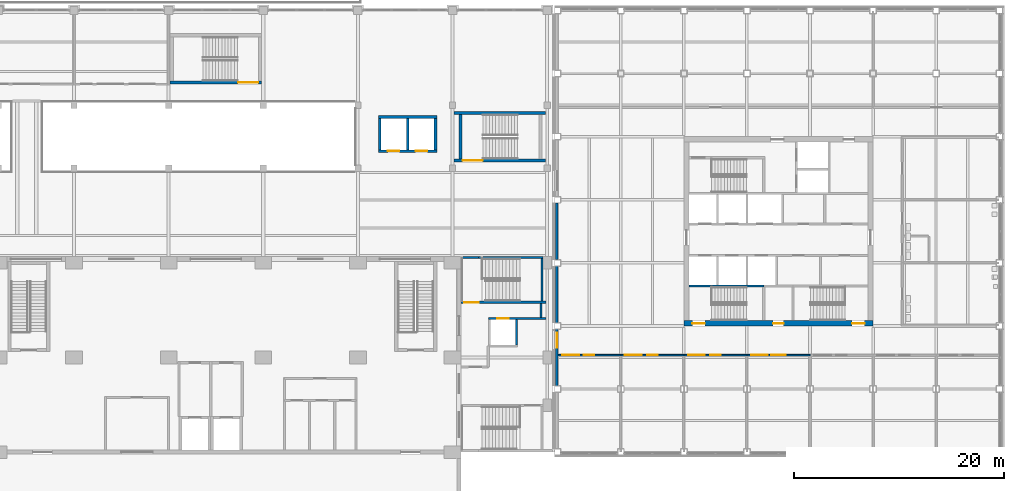
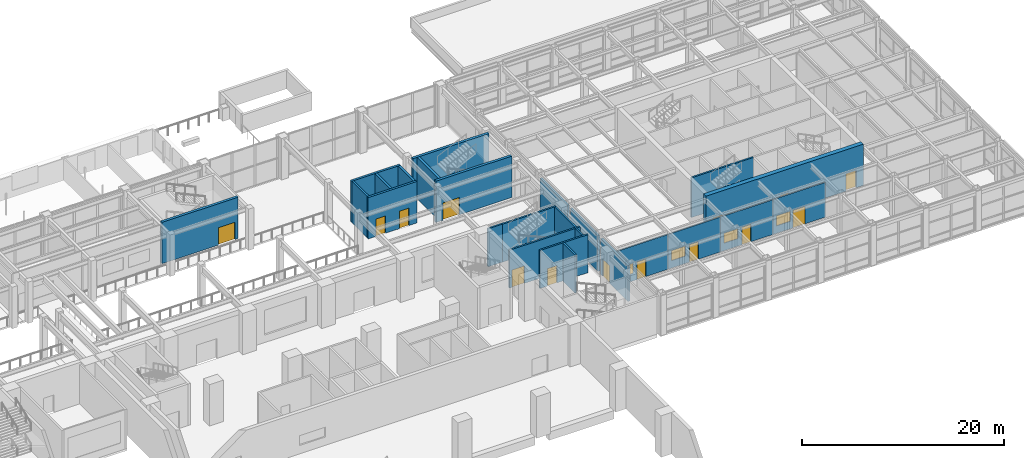
# One storey, part 42 of 67: 25 walls, 14 doors, 4 windows, 18 openings.
"""IFC4 building model written with IfcOpenShell, lengths in metres."""

import ifcopenshell
import ifcopenshell.guid

model = None  # the IFC model being written
_history = None  # IfcOwnerHistory: only IFC2X3 demands one
_inside = {}  # id of a spatial element -> (the spatial element, [elements in it])
_under = {}  # id of a project, library or spatial element -> (it, [spatial elements below it])
_declared = {}  # id of a project -> (the project, [libraries it declares])
_typed = {}  # id of a type object -> (the type object, [elements of that type])
_made_of = {}  # id of a material, layer set ... -> (it, [elements and type objects made of it])


def new_model(schema):
    """Start an empty IFC model of exactly this schema.

    Asked for "IFC4X3", IfcOpenShell would pick the latest addendum, in which some entities
    have other attributes; the version numbers below select the first issue.
    IFC2X3 requires an IfcOwnerHistory on every rooted entity: one is made here for all.
    """
    global model, _history
    if schema == "IFC4X3":
        model = ifcopenshell.file(schema_version=(4, 3, 0, 0))
    else:
        model = ifcopenshell.file(schema=schema)
    _inside.clear()
    _under.clear()
    _declared.clear()
    _typed.clear()
    _made_of.clear()
    _history = None
    if model.schema == "IFC2X3":
        org = make("IfcOrganization", Name="unknown")
        user = make(
            "IfcPersonAndOrganization",
            ThePerson=make("IfcPerson", FamilyName="unknown"),
            TheOrganization=org,
        )
        app = make(
            "IfcApplication",
            ApplicationDeveloper=org,
            Version="unknown",
            ApplicationFullName="unknown",
            ApplicationIdentifier="unknown",
        )
        _history = make(
            "IfcOwnerHistory",
            OwningUser=user,
            OwningApplication=app,
            ChangeAction="ADDED",
            CreationDate=0,
        )
    return model


def make(cls, **values):
    """One entity of the class cls with the attributes given. An attribute that is None is left unset."""
    return model.create_entity(
        cls, **{name: value for name, value in values.items() if value is not None}
    )


def rooted(cls, **values):
    """An entity with a GlobalId (a new one), such as an element, a storey or a relation."""
    return make(cls, GlobalId=ifcopenshell.guid.new(), OwnerHistory=_history, **values)


def si_unit(unit_type, name, prefix=None):
    """IfcSIUnit, for example si_unit("LENGTHUNIT", "METRE", prefix="MILLI")."""
    return make("IfcSIUnit", UnitType=unit_type, Prefix=prefix, Name=name)


def assignment(units):
    """IfcUnitAssignment: the units of a project."""
    return None if units is None else make("IfcUnitAssignment", Units=units)


def point(xyz):
    """IfcCartesianPoint."""
    return None if xyz is None else make("IfcCartesianPoint", Coordinates=xyz)


def direction(xyz):
    """IfcDirection."""
    return None if xyz is None else make("IfcDirection", DirectionRatios=xyz)


def frame(location, z_axis=None, x_axis=None):
    """IfcAxis2Placement3D, a coordinate frame: its origin and axes. An axis left out is left unset."""
    return make(
        "IfcAxis2Placement3D",
        Location=point(location),
        Axis=direction(z_axis),
        RefDirection=direction(x_axis),
    )


def frame_2d(location, x_axis=None):
    """IfcAxis2Placement2D, a coordinate frame in the plane: its origin and x axis."""
    return make(
        "IfcAxis2Placement2D", Location=point(location), RefDirection=direction(x_axis)
    )


def origin():
    """The frame at (0, 0, 0) with its axes left unset."""
    return frame((0.0, 0.0, 0.0))


def place(relative_to, where):
    """IfcLocalPlacement: puts the frame where relative to a parent placement (None: the world)."""
    return make(
        "IfcLocalPlacement", PlacementRelTo=relative_to, RelativePlacement=where
    )


def context(
    kind, dimensions, precision=None, world=None, true_north=None, identifier=None
):
    """IfcGeometricRepresentationContext, for example the 3D "Model" context."""
    return make(
        "IfcGeometricRepresentationContext",
        ContextIdentifier=identifier,
        ContextType=kind,
        CoordinateSpaceDimension=dimensions,
        Precision=precision,
        WorldCoordinateSystem=world,
        TrueNorth=true_north,
    )


def subcontext(parent, identifier, kind, view, scale=None):
    """IfcGeometricRepresentationSubContext, for example "Body" below "Model"."""
    return make(
        "IfcGeometricRepresentationSubContext",
        ContextIdentifier=identifier,
        ContextType=kind,
        ParentContext=parent,
        TargetScale=scale,
        TargetView=view,
    )


def project(units=None, contexts=None):
    """IfcProject with its units and contexts."""
    return rooted(
        "IfcProject",
        Name="project",
        RepresentationContexts=contexts,
        UnitsInContext=assignment(units),
    )


def spatial(cls, under=None, at=None, **own):
    """A site, building, storey or space (cls), placed at a placement, below another one or the project."""
    s = rooted(cls, ObjectPlacement=at, **own)
    if under is not None:
        _under.setdefault(under.id(), (under, []))[1].append(s)
    return s


def profile(cls, at=None, kind="AREA", **sizes):
    """A parametric profile (cls). Its sizes go by their IFC names, for example OverallWidth=200.0."""
    return make(cls, ProfileType=kind, Position=at, **sizes)


def rectangle(**sizes):
    """IfcRectangleProfileDef."""
    return profile("IfcRectangleProfileDef", **sizes)


def extrude(swept, where, along, depth):
    """IfcExtrudedAreaSolid: the profile swept, set in the frame where, extruded along a direction by depth."""
    return make(
        "IfcExtrudedAreaSolid",
        SweptArea=swept,
        Position=where,
        ExtrudedDirection=direction(along),
        Depth=depth,
    )


def shape(context_of_items, identifier, shape_type, items):
    """IfcShapeRepresentation: the items that make up one representation, for example the "Body"."""
    return make(
        "IfcShapeRepresentation",
        ContextOfItems=context_of_items,
        RepresentationIdentifier=identifier,
        RepresentationType=shape_type,
        Items=items,
    )


def material(Name=None, Category=None):
    """IfcMaterial."""
    return make("IfcMaterial", Name=Name, Category=Category)


def layer(
    of_material, thickness, ventilated=None, Name=None, Category=None, Priority=None
):
    """IfcMaterialLayer: one layer of a wall or slab, of a material (None: an air gap)."""
    return make(
        "IfcMaterialLayer",
        Material=of_material,
        LayerThickness=thickness,
        IsVentilated=ventilated,
        Name=Name,
        Category=Category,
        Priority=Priority,
    )


def layer_set(layers, Name=None):
    """IfcMaterialLayerSet."""
    return make("IfcMaterialLayerSet", MaterialLayers=layers, LayerSetName=Name)


def made_of(thing, what):
    """Note that an element or type object is made of a material, layer set ...; save() writes the relation."""
    if what is not None:
        _made_of.setdefault(what.id(), (what, []))[1].append(thing)
    return thing


def type_object(cls, material=None, **own):
    """A type object (cls), such as IfcWallType, which elements share."""
    return made_of(rooted(cls, **own), material)


def element(
    cls,
    number,
    at=None,
    inside=None,
    cuts=None,
    type_object=None,
    material=None,
    context=None,
    identifier="Body",
    shape_type=None,
    held_by="IfcProductDefinitionShape",
    body=None,
    shapes=None,
    **own,
):
    """One element of the class cls, such as IfcWall. Its Tag is "e" and its number.

    at: its placement. inside: the storey or other place that contains it. cuts: it is an
    opening in that element (IfcRelVoidsElement). A single representation is given by context,
    identifier, shape_type and body (its items); several are given by shapes. held_by: the class
    of the entity that holds the representations. save() writes the other relations.
    """
    e = rooted(cls, Tag="e%d" % number, ObjectPlacement=at, **own)
    if body is not None:
        shapes = [shape(context, identifier, shape_type, body)]
    if shapes is not None:
        e.Representation = make(held_by, Representations=shapes)
    if inside is not None:
        _inside.setdefault(inside.id(), (inside, []))[1].append(e)
    if cuts is not None:
        rooted(
            "IfcRelVoidsElement", RelatingBuildingElement=cuts, RelatedOpeningElement=e
        )
    if type_object is not None:
        _typed.setdefault(type_object.id(), (type_object, []))[1].append(e)
    return made_of(e, material)


def fill(opening, filler):
    """IfcRelFillsElement: the door or window that sits in an opening."""
    return rooted(
        "IfcRelFillsElement",
        RelatingOpeningElement=opening,
        RelatedBuildingElement=filler,
    )


def aggregate(whole, parts):
    """IfcRelAggregates: a whole, such as a stair, and the parts it consists of."""
    return rooted("IfcRelAggregates", RelatingObject=whole, RelatedObjects=parts)


def save(model, path):
    """Write the relations noted so far, then the file.

    IfcRelAggregates (storeys below a building ...), IfcRelContainedInSpatialStructure (elements
    in a storey), IfcRelDefinesByType, IfcRelAssociatesMaterial and IfcRelDeclares: one each for
    every whole, place, type object, material and project.
    """
    for whole, parts in _under.values():
        aggregate(whole, parts)
    for where, things in _inside.values():
        rooted(
            "IfcRelContainedInSpatialStructure",
            RelatedElements=things,
            RelatingStructure=where,
        )
    for kind, things in _typed.values():
        rooted("IfcRelDefinesByType", RelatedObjects=things, RelatingType=kind)
    for what, things in _made_of.values():
        rooted("IfcRelAssociatesMaterial", RelatedObjects=things, RelatingMaterial=what)
    for by, libraries in _declared.values():
        rooted("IfcRelDeclares", RelatingContext=by, RelatedDefinitions=libraries)
    model.write(path)


model = new_model("IFC4")

# Units and contexts
model_context = context("Model", 3, precision=1e-05, world=origin(), true_north=direction((0.0, 1.0)))
body_context = subcontext(model_context, "Body", "Model", "MODEL_VIEW")
ifc_project = project(units=[si_unit("LENGTHUNIT", "METRE"), si_unit("AREAUNIT", "SQUARE_METRE"), si_unit("VOLUMEUNIT", "CUBIC_METRE"), si_unit("PLANEANGLEUNIT", "RADIAN"), si_unit("MASSUNIT", "GRAM", prefix="KILO")], contexts=[model_context])

# Site, building, storey
site_placement = place(None, origin())
site = spatial("IfcSite", under=ifc_project, at=site_placement, CompositionType="ELEMENT")
building_placement = place(site_placement, origin())
building = spatial("IfcBuilding", under=site, at=building_placement, Name="Aravalli Gate Trade Fair Centre", CompositionType="ELEMENT")
storey_placement = place(building_placement, frame((0.0, 0.0, 5.0)))
storey = spatial("IfcBuildingStorey", under=building, at=storey_placement, Name="L01", CompositionType="ELEMENT", Elevation=5.0)

# Walls
ifc_material_1 = material(Name="Concrete M30", Category="concrete")
ifc_layer_1 = layer(ifc_material_1, 0.2099609375, Name="Reinforced concrete")
ifc_material_2 = material(Name="Terracotta cladding", Category="masonry")
ifc_layer_2 = layer(ifc_material_2, 0.0400390625, Name="Terracotta cladding")
ifc_layer_set_1 = layer_set([ifc_layer_1, ifc_layer_2], Name="Link external wall 250")
wall_type_1 = type_object("IfcWallType", Name="Link external wall 250", PredefinedType="SOLIDWALL", material=ifc_layer_set_1)
wall_1_placement = place(storey_placement, frame((150.800048828125, 109.5, 0.0), z_axis=(0.0, 0.0, 1.0), x_axis=(1.0, 0.0, 0.0)))
element("IfcWall", 1, at=wall_1_placement, inside=storey, type_object=wall_type_1, Name="Link wall N1 L01", PredefinedType="SOLIDWALL", context=body_context, shape_type="SweptSolid", body=[
    extrude(rectangle(XDim=1.64990234375, YDim=0.199951171875, at=frame_2d((0.824951171875, 0.0))), origin(), (0.0, 0.0, 1.0), 4.590087890625),
])
wall_2_placement = place(storey_placement, frame((152.449951171875, 109.5, 0.0), z_axis=(0.0, 0.0, 1.0), x_axis=(1.0, 0.0, 0.0)))
element("IfcWall", 2, at=wall_2_placement, inside=storey, type_object=wall_type_1, Name="Link wall N2 L01", PredefinedType="SOLIDWALL", context=body_context, shape_type="SweptSolid", body=[
    extrude(rectangle(XDim=6.150146484375, YDim=0.199951171875, at=frame_2d((3.0751953125, 0.0))), origin(), (0.0, 0.0, 1.0), 4.590087890625),
])

# Wall, opening, door
ifc_layer_3 = layer(ifc_material_1, 0.199951171875)
ifc_layer_set_2 = layer_set([ifc_layer_3], Name="Concrete M30")
wall_type_2 = type_object("IfcWallType", Name="Link stair enclosure 200", PredefinedType="SOLIDWALL", material=ifc_layer_set_2)
wall_3_placement = place(storey_placement, frame((150.800048828125, 105.25, 0.0), z_axis=(0.0, 0.0, 1.0), x_axis=(1.0, 0.0, 0.0)))
wall_3 = element("IfcWall", 3, at=wall_3_placement, inside=storey, type_object=wall_type_2, Name="Link wall LBS L01", PredefinedType="SOLIDWALL", context=body_context, shape_type="SweptSolid", body=[
    extrude(rectangle(XDim=8.094970703125, YDim=0.199951171875, at=frame_2d((4.04736328125, 0.0))), origin(), (0.0, 0.0, 1.0), 4.590087890625),
])
opening_1_placement = place(wall_3_placement, frame((0.300048828125, 0.0, 0.0)))
opening_1 = element("IfcOpeningElement", 4, at=opening_1_placement, cuts=wall_3, Name="Opening T-L01-192", PredefinedType="OPENING", context=body_context, shape_type="SweptSolid", body=[
    extrude(rectangle(XDim=1.39990234375, YDim=2.10009765625, at=frame_2d((0.699951171875, 1.050048828125))), frame((0.0, 0.10986328125, 0.0), z_axis=(0.0, -1.0, 0.0), x_axis=(1.0, 0.0, 0.0)), (0.0, 0.0, 1.0), 0.219970703125),
])
ifc_material_3 = material(Name="Steel, fire rated", Category="steel")
door_type_1 = type_object("IfcDoorType", Name="Wing fire door FD120 1400 x 2100", OperationType="DOUBLE_DOOR_SINGLE_SWING", PredefinedType="DOOR", material=ifc_material_3)
door_1_placement = place(opening_1_placement, origin())
door_1 = element("IfcDoor", 5, at=door_1_placement, inside=storey, type_object=door_type_1, Name="Link door T-L01-192", OperationType="DOUBLE_DOOR_SINGLE_SWING", OverallHeight=2.10009765625, OverallWidth=1.39990234375, PredefinedType="DOOR", context=body_context, shape_type="SweptSolid", body=[
    extrude(rectangle(XDim=1.39990234375, YDim=2.10009765625, at=frame_2d((0.699951171875, 1.050048828125))), frame((0.0, 0.02490234375, 0.0), z_axis=(0.0, -1.0, 0.0), x_axis=(1.0, 0.0, 0.0)), (0.0, 0.0, 1.0), 0.050048828125),
])
fill(opening_1, door_1)

# Wall
wall_4_placement = place(storey_placement, frame((158.5, 105.35009765625, 0.0), z_axis=(0.0, 0.0, 1.0), x_axis=(0.0, 1.0, 0.0)))
element("IfcWall", 6, at=wall_4_placement, inside=storey, type_object=wall_type_2, Name="Link wall LBE L01", PredefinedType="SOLIDWALL", context=body_context, shape_type="SweptSolid", body=[
    extrude(rectangle(XDim=4.0498046875, YDim=0.199951171875, at=frame_2d((2.02490234375, 0.0))), origin(), (0.0, 0.0, 1.0), 4.590087890625),
])

# Wall, opening, door
wall_5_placement = place(storey_placement, frame((153.39990234375, 103.699951171875, 0.0), z_axis=(0.0, 0.0, 1.0), x_axis=(1.0, 0.0, 0.0)))
wall_5 = element("IfcWall", 7, at=wall_5_placement, inside=storey, type_object=wall_type_2, Name="Link wall FHS L01", PredefinedType="SOLIDWALL", context=body_context, shape_type="SweptSolid", body=[
    extrude(rectangle(XDim=5.4951171875, YDim=0.199951171875, at=frame_2d((2.74755859375, 0.0))), origin(), (0.0, 0.0, 1.0), 4.590087890625),
])
opening_2_placement = place(wall_5_placement, frame((0.85009765625, 0.0, 0.0)))
opening_2 = element("IfcOpeningElement", 8, at=opening_2_placement, cuts=wall_5, Name="Opening T-L01-194", PredefinedType="OPENING", context=body_context, shape_type="SweptSolid", body=[
    extrude(rectangle(XDim=1.10009765625, YDim=2.10009765625, at=frame_2d((0.550048828125, 1.050048828125))), frame((0.0, 0.10986328125, 0.0), z_axis=(0.0, -1.0, 0.0), x_axis=(1.0, 0.0, 0.0)), (0.0, 0.0, 1.0), 0.219970703125),
])
ifc_material_4 = material(Name="Elevator door panels")
door_type_2 = type_object("IfcDoorType", Name="Wing lift landing door 1100 x 2100", OperationType="SLIDING_TO_LEFT", PredefinedType="DOOR", material=ifc_material_4)
door_2_placement = place(opening_2_placement, origin())
door_2 = element("IfcDoor", 9, at=door_2_placement, inside=storey, type_object=door_type_2, Name="Landing door T-L01-194", OperationType="SLIDING_TO_LEFT", OverallHeight=2.10009765625, OverallWidth=1.10009765625, PredefinedType="DOOR", context=body_context, shape_type="SweptSolid", body=[
    extrude(rectangle(XDim=1.10009765625, YDim=2.10009765625, at=frame_2d((0.550048828125, 1.050048828125))), frame((0.0, 0.02490234375, 0.0), z_axis=(0.0, -1.0, 0.0), x_axis=(1.0, 0.0, 0.0)), (0.0, 0.0, 1.0), 0.050048828125),
])
fill(opening_2, door_2)

# Walls
wall_6_placement = place(storey_placement, frame((158.39990234375, 103.800048828125, 0.0), z_axis=(0.0, 0.0, 1.0), x_axis=(0.0, 1.0, 0.0)))
element("IfcWall", 10, at=wall_6_placement, inside=storey, type_object=wall_type_2, Name="Link wall FHE L01", PredefinedType="SOLIDWALL", context=body_context, shape_type="SweptSolid", body=[
    extrude(rectangle(XDim=1.349853515625, YDim=0.199951171875, at=frame_2d((0.6748046875, 0.0))), origin(), (0.0, 0.0, 1.0), 4.590087890625),
])
wall_7_placement = place(storey_placement, frame((156.10009765625, 101.199951171875, 0.0), z_axis=(0.0, 0.0, 1.0), x_axis=(0.0, 1.0, 0.0)))
element("IfcWall", 11, at=wall_7_placement, inside=storey, type_object=wall_type_2, Name="Link wall FHX L01", PredefinedType="SOLIDWALL", context=body_context, shape_type="SweptSolid", body=[
    extrude(rectangle(XDim=2.400146484375, YDim=0.199951171875, at=frame_2d((1.2001953125, 0.0))), origin(), (0.0, 0.0, 1.0), 4.590087890625),
])

# Wall, openings, doors
ifc_material_5 = material(Name="Concrete M40", Category="concrete")
ifc_layer_4 = layer(ifc_material_5, 0.25)
ifc_layer_set_3 = layer_set([ifc_layer_4], Name="Concrete M40")
wall_type_3 = type_object("IfcWallType", Name="RC core wall 250", PredefinedType="SHEAR", material=ifc_layer_set_3)
wall_8_placement = place(storey_placement, frame((142.949951171875, 119.625, 0.0), z_axis=(0.0, 0.0, 1.0), x_axis=(1.0, 0.0, 0.0)))
wall_8 = element("IfcWall", 12, at=wall_8_placement, inside=storey, type_object=wall_type_3, Name="Core wall ELS L01", PredefinedType="SHEAR", context=body_context, shape_type="SweptSolid", body=[
    extrude(rectangle(XDim=5.550048828125, YDim=0.25, at=frame_2d((2.77490234375, 0.0))), origin(), (0.0, 0.0, 1.0), 5.0),
])
opening_3_placement = place(wall_8_placement, frame((0.89990234375, 0.0, 0.0)))
opening_3 = element("IfcOpeningElement", 13, at=opening_3_placement, cuts=wall_8, Name="Opening C-L01-06", PredefinedType="OPENING", context=body_context, shape_type="SweptSolid", body=[
    extrude(rectangle(XDim=1.10009765625, YDim=2.10009765625, at=frame_2d((0.550048828125, 1.050048828125))), frame((0.0, 0.135009765625, 0.0), z_axis=(0.0, -1.0, 0.0), x_axis=(1.0, 0.0, 0.0)), (0.0, 0.0, 1.0), 0.27001953125),
])
opening_4_placement = place(wall_8_placement, frame((3.550048828125, 0.0, 0.0)))
opening_4 = element("IfcOpeningElement", 14, at=opening_4_placement, cuts=wall_8, Name="Opening C-L01-07", PredefinedType="OPENING", context=body_context, shape_type="SweptSolid", body=[
    extrude(rectangle(XDim=1.10009765625, YDim=2.10009765625, at=frame_2d((0.550048828125, 1.050048828125))), frame((0.0, 0.135009765625, 0.0), z_axis=(0.0, -1.0, 0.0), x_axis=(1.0, 0.0, 0.0)), (0.0, 0.0, 1.0), 0.27001953125),
])
door_type_3 = type_object("IfcDoorType", Name="Concourse lift landing door 1100 x 2100", OperationType="DOUBLE_DOOR_SLIDING", PredefinedType="NOTDEFINED", material=ifc_material_3)
door_3_placement = place(opening_3_placement, origin())
door_3 = element("IfcDoor", 15, at=door_3_placement, inside=storey, type_object=door_type_3, Name="Lift landing door EL1 L01", OperationType="DOUBLE_DOOR_SLIDING", OverallHeight=2.10009765625, OverallWidth=1.10009765625, PredefinedType="NOTDEFINED", context=body_context, shape_type="SweptSolid", body=[
    extrude(rectangle(XDim=1.10009765625, YDim=2.10009765625, at=frame_2d((0.550048828125, 1.050048828125))), frame((0.0, 0.02490234375, 0.0), z_axis=(0.0, -1.0, 0.0), x_axis=(1.0, 0.0, 0.0)), (0.0, 0.0, 1.0), 0.050048828125),
])
fill(opening_3, door_3)
door_4_placement = place(opening_4_placement, origin())
door_4 = element("IfcDoor", 16, at=door_4_placement, inside=storey, type_object=door_type_3, Name="Lift landing door EL2 L01", OperationType="DOUBLE_DOOR_SLIDING", OverallHeight=2.10009765625, OverallWidth=1.10009765625, PredefinedType="NOTDEFINED", context=body_context, shape_type="SweptSolid", body=[
    extrude(rectangle(XDim=1.10009765625, YDim=2.10009765625, at=frame_2d((0.550048828125, 1.050048828125))), frame((0.0, 0.02490234375, 0.0), z_axis=(0.0, -1.0, 0.0), x_axis=(1.0, 0.0, 0.0)), (0.0, 0.0, 1.0), 0.050048828125),
])
fill(opening_4, door_4)

# Walls
wall_9_placement = place(storey_placement, frame((142.949951171875, 122.875, 0.0), z_axis=(0.0, 0.0, 1.0), x_axis=(1.0, 0.0, 0.0)))
element("IfcWall", 17, at=wall_9_placement, inside=storey, type_object=wall_type_3, Name="Core wall ELN L01", PredefinedType="SHEAR", context=body_context, shape_type="SweptSolid", body=[
    extrude(rectangle(XDim=5.550048828125, YDim=0.25, at=frame_2d((2.77490234375, 0.0))), origin(), (0.0, 0.0, 1.0), 5.0),
])
for number, where, z_axis, x_axis, name in (
    (18, (143.074951171875, 119.75, 0.0), (0.0, 0.0, 1.0), (0.0, 1.0, 0.0), "Core wall ELW L01"),
    (19, (148.375, 119.75, 0.0), (0.0, 0.0, 1.0), (0.0, 1.0, 0.0), "Core wall ELE L01"),
    (20, (145.72509765625, 119.75, 0.0), (0.0, 0.0, 1.0), (0.0, 1.0, 0.0), "Core wall ELM L01"),
):
    element("IfcWall", number, at=place(storey_placement, frame(where, z_axis=z_axis, x_axis=x_axis)), inside=storey, type_object=wall_type_3, Name=name, PredefinedType="SHEAR", context=body_context, shape_type="SweptSolid", body=[
        extrude(rectangle(XDim=3.0, YDim=0.25, at=frame_2d((1.5, 0.0))), origin(), (0.0, 0.0, 1.0), 5.0),
    ])

# Wall, opening, door
ifc_layer_5 = layer(ifc_material_5, 0.300048828125)
ifc_layer_set_4 = layer_set([ifc_layer_5], Name="Concrete M40")
wall_type_4 = type_object("IfcWallType", Name="RC core wall 300", PredefinedType="SHEAR", material=ifc_layer_set_4)
wall_10_placement = place(storey_placement, frame((150.14990234375, 118.75, 0.0), z_axis=(0.0, 0.0, 1.0), x_axis=(1.0, 0.0, 0.0)))
wall_10 = element("IfcWall", 21, at=wall_10_placement, inside=storey, type_object=wall_type_4, Name="Core wall ESS L01", PredefinedType="SHEAR", context=body_context, shape_type="SweptSolid", body=[
    extrude(rectangle(XDim=8.7001953125, YDim=0.300048828125, at=frame_2d((4.35009765625, 0.0))), origin(), (0.0, 0.0, 1.0), 5.0),
])
opening_5_placement = place(wall_10_placement, frame((0.800048828125, 0.0, 0.0)))
opening_5 = element("IfcOpeningElement", 22, at=opening_5_placement, cuts=wall_10, Name="Opening C-L01-05", PredefinedType="OPENING", context=body_context, shape_type="SweptSolid", body=[
    extrude(rectangle(XDim=1.89990234375, YDim=2.10009765625, at=frame_2d((0.949951171875, 1.050048828125))), frame((0.0, 0.159912109375, 0.0), z_axis=(0.0, -1.0, 0.0), x_axis=(1.0, 0.0, 0.0)), (0.0, 0.0, 1.0), 0.320068359375),
])
door_type_4 = type_object("IfcDoorType", Name="Concourse stair door 1900 x 2100", OperationType="DOUBLE_DOOR_SINGLE_SWING", PredefinedType="NOTDEFINED", material=ifc_material_3)
door_5_placement = place(opening_5_placement, frame((1.89990234375, 0.0, 0.0), z_axis=(0.0, 0.0, 1.0), x_axis=(-1.0, 0.0, 0.0)))
door_5 = element("IfcDoor", 23, at=door_5_placement, inside=storey, type_object=door_type_4, Name="Stair door ES L01", OperationType="DOUBLE_DOOR_SINGLE_SWING", OverallHeight=2.10009765625, OverallWidth=1.89990234375, PredefinedType="NOTDEFINED", context=body_context, shape_type="SweptSolid", body=[
    extrude(rectangle(XDim=1.89990234375, YDim=2.10009765625, at=frame_2d((0.949951171875, 1.050048828125))), frame((0.0, 0.02490234375, 0.0), z_axis=(0.0, -1.0, 0.0), x_axis=(1.0, 0.0, 0.0)), (0.0, 0.0, 1.0), 0.050048828125),
])
fill(opening_5, door_5)

# Walls
wall_11_placement = place(storey_placement, frame((150.14990234375, 123.25, 0.0), z_axis=(0.0, 0.0, 1.0), x_axis=(1.0, 0.0, 0.0)))
element("IfcWall", 24, at=wall_11_placement, inside=storey, type_object=wall_type_4, Name="Core wall ESN L01", PredefinedType="SHEAR", context=body_context, shape_type="SweptSolid", body=[
    extrude(rectangle(XDim=8.7001953125, YDim=0.300048828125, at=frame_2d((4.35009765625, 0.0))), origin(), (0.0, 0.0, 1.0), 5.0),
])
wall_12_placement = place(storey_placement, frame((150.75, 118.89990234375, 0.0), z_axis=(0.0, 0.0, 1.0), x_axis=(0.0, 1.0, 0.0)))
element("IfcWall", 25, at=wall_12_placement, inside=storey, type_object=wall_type_4, Name="Core wall ESW L01", PredefinedType="SHEAR", context=body_context, shape_type="SweptSolid", body=[
    extrude(rectangle(XDim=4.2001953125, YDim=0.300048828125, at=frame_2d((2.10009765625, 0.0))), origin(), (0.0, 0.0, 1.0), 5.0),
])

# Wall, opening, door
wall_13_placement = place(storey_placement, frame((123.14990234375, 126.14990234375, 0.0), z_axis=(0.0, 0.0, 1.0), x_axis=(1.0, 0.0, 0.0)))
wall_13 = element("IfcWall", 26, at=wall_13_placement, inside=storey, type_object=wall_type_4, Name="Core wall XES L01", PredefinedType="SHEAR", context=body_context, shape_type="SweptSolid", body=[
    extrude(rectangle(XDim=8.7001953125, YDim=0.300048828125, at=frame_2d((4.35009765625, 0.0))), origin(), (0.0, 0.0, 1.0), 5.0),
])
opening_6_placement = place(wall_13_placement, frame((6.449951171875, 0.0, 0.0)))
opening_6 = element("IfcOpeningElement", 27, at=opening_6_placement, cuts=wall_13, Name="Opening C-L01-12", PredefinedType="OPENING", context=body_context, shape_type="SweptSolid", body=[
    extrude(rectangle(XDim=1.89990234375, YDim=2.10009765625, at=frame_2d((0.949951171875, 1.050048828125))), frame((0.0, 0.159912109375, 0.0), z_axis=(0.0, -1.0, 0.0), x_axis=(1.0, 0.0, 0.0)), (0.0, 0.0, 1.0), 0.320068359375),
])
door_6_placement = place(opening_6_placement, origin())
door_6 = element("IfcDoor", 28, at=door_6_placement, inside=storey, type_object=door_type_4, Name="Stair door XE L01", OperationType="DOUBLE_DOOR_SINGLE_SWING", OverallHeight=2.10009765625, OverallWidth=1.89990234375, PredefinedType="NOTDEFINED", context=body_context, shape_type="SweptSolid", body=[
    extrude(rectangle(XDim=1.89990234375, YDim=2.10009765625, at=frame_2d((0.949951171875, 1.050048828125))), frame((0.0, 0.02490234375, 0.0), z_axis=(0.0, -1.0, 0.0), x_axis=(1.0, 0.0, 0.0)), (0.0, 0.0, 1.0), 0.050048828125),
])
fill(opening_6, door_6)

# Wall
ifc_layer_6 = layer(ifc_material_1, 0.199951171875)
ifc_layer_set_5 = layer_set([ifc_layer_6], Name="Concrete M30")
wall_type_5 = type_object("IfcWallType", Name="Wing core internal wall 200 (EI 120, lift shaft)", PredefinedType="SOLIDWALL", material=ifc_layer_set_5)
wall_14_placement = place(storey_placement, frame((172.5, 106.800048828125, 0.0), z_axis=(0.0, 0.0, 1.0), x_axis=(1.0, 0.0, 0.0)))
element("IfcWall", 29, at=wall_14_placement, inside=storey, type_object=wall_type_5, Name="Core wall S-REAR-W L01", PredefinedType="SOLIDWALL", context=body_context, shape_type="SweptSolid", body=[
    extrude(rectangle(XDim=7.10009765625, YDim=0.199951171875, at=frame_2d((3.550048828125, 0.0))), origin(), (0.0, 0.0, 1.0), 4.800048828125),
])

# Wall, openings, doors
ifc_material_6 = material(Name="Concrete M50", Category="concrete")
ifc_layer_7 = layer(ifc_material_6, 0.5)
ifc_layer_set_6 = layer_set([ifc_layer_7], Name="Concrete M50")
wall_type_6 = type_object("IfcWallType", Name="Wing core shear wall 500", PredefinedType="SHEAR", material=ifc_layer_set_6)
wall_15_placement = place(storey_placement, frame((172.0, 103.25, 0.0), z_axis=(0.0, 0.0, 1.0), x_axis=(1.0, 0.0, 0.0)))
wall_15 = element("IfcWall", 30, at=wall_15_placement, inside=storey, type_object=wall_type_6, Name="Core wall S L01", PredefinedType="SHEAR", context=body_context, shape_type="SweptSolid", body=[
    extrude(rectangle(XDim=18.0, YDim=0.5, at=frame_2d((9.0, 0.0))), origin(), (0.0, 0.0, 1.0), 5.0),
])
opening_7_placement = place(wall_15_placement, frame((8.5, 0.0, 0.0)))
opening_7 = element("IfcOpeningElement", 31, at=opening_7_placement, cuts=wall_15, Name="Opening T-L01-102", PredefinedType="OPENING", context=body_context, shape_type="SweptSolid", body=[
    extrude(rectangle(XDim=1.0, YDim=2.10009765625, at=frame_2d((0.5, 1.050048828125))), frame((0.0, 0.260009765625, 0.0), z_axis=(0.0, -1.0, 0.0), x_axis=(1.0, 0.0, 0.0)), (0.0, 0.0, 1.0), 0.52001953125),
])
opening_8_placement = place(wall_15_placement, frame((0.800048828125, 0.0, 0.0)))
opening_8 = element("IfcOpeningElement", 32, at=opening_8_placement, cuts=wall_15, Name="Opening T-L01-101", PredefinedType="OPENING", context=body_context, shape_type="SweptSolid", body=[
    extrude(rectangle(XDim=1.199951171875, YDim=2.10009765625, at=frame_2d((0.60009765625, 1.050048828125))), frame((0.0, 0.260009765625, 0.0), z_axis=(0.0, -1.0, 0.0), x_axis=(1.0, 0.0, 0.0)), (0.0, 0.0, 1.0), 0.52001953125),
])
opening_9_placement = place(wall_15_placement, frame((16.0, 0.0, 0.0)))
opening_9 = element("IfcOpeningElement", 33, at=opening_9_placement, cuts=wall_15, Name="Opening T-L01-103", PredefinedType="OPENING", context=body_context, shape_type="SweptSolid", body=[
    extrude(rectangle(XDim=1.199951171875, YDim=2.10009765625, at=frame_2d((0.60009765625, 1.050048828125))), frame((0.0, 0.260009765625, 0.0), z_axis=(0.0, -1.0, 0.0), x_axis=(1.0, 0.0, 0.0)), (0.0, 0.0, 1.0), 0.52001953125),
])
door_type_5 = type_object("IfcDoorType", Name="Wing fire door FD120 1000 x 2100", OperationType="SINGLE_SWING_LEFT", PredefinedType="DOOR", material=ifc_material_3)
door_7_placement = place(opening_7_placement, origin())
door_7 = element("IfcDoor", 34, at=door_7_placement, inside=storey, type_object=door_type_5, Name="Core door T-L01-102", OperationType="SINGLE_SWING_RIGHT", OverallHeight=2.10009765625, OverallWidth=1.0, PredefinedType="DOOR", context=body_context, shape_type="SweptSolid", body=[
    extrude(rectangle(XDim=1.0, YDim=2.10009765625, at=frame_2d((0.5, 1.050048828125))), frame((0.0, 0.02490234375, 0.0), z_axis=(0.0, -1.0, 0.0), x_axis=(1.0, 0.0, 0.0)), (0.0, 0.0, 1.0), 0.050048828125),
])
fill(opening_7, door_7)
door_type_6 = type_object("IfcDoorType", Name="Wing fire door FD120 1200 x 2100", OperationType="SINGLE_SWING_LEFT", PredefinedType="DOOR", material=ifc_material_3)
door_8_placement = place(opening_8_placement, origin())
door_8 = element("IfcDoor", 35, at=door_8_placement, inside=storey, type_object=door_type_6, Name="Core door T-L01-101", OperationType="SINGLE_SWING_LEFT", OverallHeight=2.10009765625, OverallWidth=1.199951171875, PredefinedType="DOOR", context=body_context, shape_type="SweptSolid", body=[
    extrude(rectangle(XDim=1.199951171875, YDim=2.10009765625, at=frame_2d((0.60009765625, 1.050048828125))), frame((0.0, 0.02490234375, 0.0), z_axis=(0.0, -1.0, 0.0), x_axis=(1.0, 0.0, 0.0)), (0.0, 0.0, 1.0), 0.050048828125),
])
fill(opening_8, door_8)
door_9_placement = place(opening_9_placement, origin())
door_9 = element("IfcDoor", 36, at=door_9_placement, inside=storey, type_object=door_type_6, Name="Core door T-L01-103", OperationType="SINGLE_SWING_RIGHT", OverallHeight=2.10009765625, OverallWidth=1.199951171875, PredefinedType="DOOR", context=body_context, shape_type="SweptSolid", body=[
    extrude(rectangle(XDim=1.199951171875, YDim=2.10009765625, at=frame_2d((0.60009765625, 1.050048828125))), frame((0.0, 0.02490234375, 0.0), z_axis=(0.0, -1.0, 0.0), x_axis=(1.0, 0.0, 0.0)), (0.0, 0.0, 1.0), 0.050048828125),
])
fill(opening_9, door_9)

# Wall, openings, door, window
ifc_material_7 = material(Name="Blockwork with fire-rated lining", Category="masonry")
ifc_layer_8 = layer(ifc_material_7, 0.14990234375)
ifc_layer_set_7 = layer_set([ifc_layer_8], Name="Blockwork with fire-rated lining")
wall_type_7 = type_object("IfcWallType", Name="Wing partition 150 (EI 60, corridor wall)", PredefinedType="PARTITIONING", material=ifc_layer_set_7)
wall_16_placement = place(storey_placement, frame((160.050048828125, 100.22509765625, 0.0), z_axis=(0.0, 0.0, 1.0), x_axis=(1.0, 0.0, 0.0)))
wall_16 = element("IfcWall", 37, at=wall_16_placement, inside=storey, type_object=wall_type_7, Name="Partition SW1 L01", PredefinedType="PARTITIONING", context=body_context, shape_type="SweptSolid", body=[
    extrude(rectangle(XDim=5.949951171875, YDim=0.14990234375, at=frame_2d((2.97509765625, 0.0))), origin(), (0.0, 0.0, 1.0), 4.199951171875),
])
opening_10_placement = place(wall_16_placement, frame((0.39990234375, 0.0, 0.89990234375)))
opening_10 = element("IfcOpeningElement", 38, at=opening_10_placement, cuts=wall_16, Name="Opening TWN2", PredefinedType="OPENING", context=body_context, shape_type="SweptSolid", body=[
    extrude(rectangle(XDim=1.60009765625, YDim=1.199951171875, at=frame_2d((0.800048828125, 0.60009765625))), frame((0.0, 0.0849609375, 0.0), z_axis=(0.0, -1.0, 0.0), x_axis=(1.0, 0.0, 0.0)), (0.0, 0.0, 1.0), 0.169921875),
])
opening_11_placement = place(wall_16_placement, frame((2.4375, 0.0, 0.0)))
opening_11 = element("IfcOpeningElement", 39, at=opening_11_placement, cuts=wall_16, Name="Opening T-L01-141", PredefinedType="OPENING", context=body_context, shape_type="SweptSolid", body=[
    extrude(rectangle(XDim=1.0, YDim=2.10009765625, at=frame_2d((0.5, 1.050048828125))), frame((0.0, 0.0849609375, 0.0), z_axis=(0.0, -1.0, 0.0), x_axis=(1.0, 0.0, 0.0)), (0.0, 0.0, 1.0), 0.169921875),
])
door_type_7 = type_object("IfcDoorType", Name="Wing fire door FD60 1000 x 2100", OperationType="SINGLE_SWING_LEFT", PredefinedType="DOOR", material=ifc_material_3)
door_10_placement = place(opening_11_placement, frame((1.0, 0.0, 0.0), z_axis=(0.0, 0.0, 1.0), x_axis=(-1.0, 0.0, 0.0)))
door_10 = element("IfcDoor", 40, at=door_10_placement, inside=storey, type_object=door_type_7, Name="Door T-L01-141", OperationType="SINGLE_SWING_RIGHT", OverallHeight=2.10009765625, OverallWidth=1.0, PredefinedType="DOOR", context=body_context, shape_type="SweptSolid", body=[
    extrude(rectangle(XDim=1.0, YDim=2.10009765625, at=frame_2d((0.5, 1.050048828125))), frame((0.0, 0.02490234375, 0.0), z_axis=(0.0, -1.0, 0.0), x_axis=(1.0, 0.0, 0.0)), (0.0, 0.0, 1.0), 0.050048828125),
])
fill(opening_11, door_10)
ifc_material_8 = material(Name="Aluminium and glass", Category="aluminium")
window_type = type_object("IfcWindowType", Name="Wing interior glazed screen 1600 x 1200", PartitioningType="SINGLE_PANEL", PredefinedType="WINDOW", material=ifc_material_8)
window_1_placement = place(opening_10_placement, origin())
window_1 = element("IfcWindow", 41, at=window_1_placement, inside=storey, type_object=window_type, Name="Glazed screen T-L01-141", OverallHeight=1.199951171875, OverallWidth=1.60009765625, PartitioningType="SINGLE_PANEL", PredefinedType="WINDOW", context=body_context, shape_type="SweptSolid", body=[
    extrude(rectangle(XDim=1.60009765625, YDim=1.199951171875, at=frame_2d((0.800048828125, 0.60009765625))), frame((0.0, 0.030029296875, 0.0), z_axis=(0.0, -1.0, 0.0), x_axis=(1.0, 0.0, 0.0)), (0.0, 0.0, 1.0), 0.06005859375),
])
fill(opening_10, window_1)

wall_17_placement = place(storey_placement, frame((166.0, 100.22509765625, 0.0), z_axis=(0.0, 0.0, 1.0), x_axis=(1.0, 0.0, 0.0)))
wall_17 = element("IfcWall", 42, at=wall_17_placement, inside=storey, type_object=wall_type_7, Name="Partition SW2 L01", PredefinedType="PARTITIONING", context=body_context, shape_type="SweptSolid", body=[
    extrude(rectangle(XDim=6.0, YDim=0.14990234375, at=frame_2d((3.0, 0.0))), origin(), (0.0, 0.0, 1.0), 4.199951171875),
])
opening_12_placement = place(wall_17_placement, frame((0.39990234375, 0.0, 0.89990234375)))
opening_12 = element("IfcOpeningElement", 43, at=opening_12_placement, cuts=wall_17, Name="Opening TWN2", PredefinedType="OPENING", context=body_context, shape_type="SweptSolid", body=[
    extrude(rectangle(XDim=1.60009765625, YDim=1.199951171875, at=frame_2d((0.800048828125, 0.60009765625))), frame((0.0, 0.0849609375, 0.0), z_axis=(0.0, -1.0, 0.0), x_axis=(1.0, 0.0, 0.0)), (0.0, 0.0, 1.0), 0.169921875),
])
opening_13_placement = place(wall_17_placement, frame((2.5, 0.0, 0.0)))
opening_13 = element("IfcOpeningElement", 44, at=opening_13_placement, cuts=wall_17, Name="Opening T-L01-142", PredefinedType="OPENING", context=body_context, shape_type="SweptSolid", body=[
    extrude(rectangle(XDim=1.0, YDim=2.10009765625, at=frame_2d((0.5, 1.050048828125))), frame((0.0, 0.0849609375, 0.0), z_axis=(0.0, -1.0, 0.0), x_axis=(1.0, 0.0, 0.0)), (0.0, 0.0, 1.0), 0.169921875),
])
door_11_placement = place(opening_13_placement, frame((1.0, 0.0, 0.0), z_axis=(0.0, 0.0, 1.0), x_axis=(-1.0, 0.0, 0.0)))
door_11 = element("IfcDoor", 45, at=door_11_placement, inside=storey, type_object=door_type_7, Name="Door T-L01-142", OperationType="SINGLE_SWING_LEFT", OverallHeight=2.10009765625, OverallWidth=1.0, PredefinedType="DOOR", context=body_context, shape_type="SweptSolid", body=[
    extrude(rectangle(XDim=1.0, YDim=2.10009765625, at=frame_2d((0.5, 1.050048828125))), frame((0.0, 0.02490234375, 0.0), z_axis=(0.0, -1.0, 0.0), x_axis=(1.0, 0.0, 0.0)), (0.0, 0.0, 1.0), 0.050048828125),
])
fill(opening_13, door_11)
window_2_placement = place(opening_12_placement, origin())
window_2 = element("IfcWindow", 46, at=window_2_placement, inside=storey, type_object=window_type, Name="Glazed screen T-L01-142", OverallHeight=1.199951171875, OverallWidth=1.60009765625, PartitioningType="SINGLE_PANEL", PredefinedType="WINDOW", context=body_context, shape_type="SweptSolid", body=[
    extrude(rectangle(XDim=1.60009765625, YDim=1.199951171875, at=frame_2d((0.800048828125, 0.60009765625))), frame((0.0, 0.030029296875, 0.0), z_axis=(0.0, -1.0, 0.0), x_axis=(1.0, 0.0, 0.0)), (0.0, 0.0, 1.0), 0.06005859375),
])
fill(opening_12, window_2)

wall_18_placement = place(storey_placement, frame((172.0, 100.22509765625, 0.0), z_axis=(0.0, 0.0, 1.0), x_axis=(1.0, 0.0, 0.0)))
wall_18 = element("IfcWall", 47, at=wall_18_placement, inside=storey, type_object=wall_type_7, Name="Partition SW3 L01", PredefinedType="PARTITIONING", context=body_context, shape_type="SweptSolid", body=[
    extrude(rectangle(XDim=6.0, YDim=0.14990234375, at=frame_2d((3.0, 0.0))), origin(), (0.0, 0.0, 1.0), 4.199951171875),
])
opening_14_placement = place(wall_18_placement, frame((0.39990234375, 0.0, 0.89990234375)))
opening_14 = element("IfcOpeningElement", 48, at=opening_14_placement, cuts=wall_18, Name="Opening TWN2", PredefinedType="OPENING", context=body_context, shape_type="SweptSolid", body=[
    extrude(rectangle(XDim=1.60009765625, YDim=1.199951171875, at=frame_2d((0.800048828125, 0.60009765625))), frame((0.0, 0.0849609375, 0.0), z_axis=(0.0, -1.0, 0.0), x_axis=(1.0, 0.0, 0.0)), (0.0, 0.0, 1.0), 0.169921875),
])
opening_15_placement = place(wall_18_placement, frame((2.5, 0.0, 0.0)))
opening_15 = element("IfcOpeningElement", 49, at=opening_15_placement, cuts=wall_18, Name="Opening T-L01-143", PredefinedType="OPENING", context=body_context, shape_type="SweptSolid", body=[
    extrude(rectangle(XDim=1.0, YDim=2.10009765625, at=frame_2d((0.5, 1.050048828125))), frame((0.0, 0.0849609375, 0.0), z_axis=(0.0, -1.0, 0.0), x_axis=(1.0, 0.0, 0.0)), (0.0, 0.0, 1.0), 0.169921875),
])
door_12_placement = place(opening_15_placement, frame((1.0, 0.0, 0.0), z_axis=(0.0, 0.0, 1.0), x_axis=(-1.0, 0.0, 0.0)))
door_12 = element("IfcDoor", 50, at=door_12_placement, inside=storey, type_object=door_type_7, Name="Door T-L01-143", OperationType="SINGLE_SWING_RIGHT", OverallHeight=2.10009765625, OverallWidth=1.0, PredefinedType="DOOR", context=body_context, shape_type="SweptSolid", body=[
    extrude(rectangle(XDim=1.0, YDim=2.10009765625, at=frame_2d((0.5, 1.050048828125))), frame((0.0, 0.02490234375, 0.0), z_axis=(0.0, -1.0, 0.0), x_axis=(1.0, 0.0, 0.0)), (0.0, 0.0, 1.0), 0.050048828125),
])
fill(opening_15, door_12)
window_3_placement = place(opening_14_placement, origin())
window_3 = element("IfcWindow", 51, at=window_3_placement, inside=storey, type_object=window_type, Name="Glazed screen T-L01-143", OverallHeight=1.199951171875, OverallWidth=1.60009765625, PartitioningType="SINGLE_PANEL", PredefinedType="WINDOW", context=body_context, shape_type="SweptSolid", body=[
    extrude(rectangle(XDim=1.60009765625, YDim=1.199951171875, at=frame_2d((0.800048828125, 0.60009765625))), frame((0.0, 0.030029296875, 0.0), z_axis=(0.0, -1.0, 0.0), x_axis=(1.0, 0.0, 0.0)), (0.0, 0.0, 1.0), 0.06005859375),
])
fill(opening_14, window_3)

wall_19_placement = place(storey_placement, frame((178.0, 100.22509765625, 0.0), z_axis=(0.0, 0.0, 1.0), x_axis=(1.0, 0.0, 0.0)))
wall_19 = element("IfcWall", 52, at=wall_19_placement, inside=storey, type_object=wall_type_7, Name="Partition SW4 L01", PredefinedType="PARTITIONING", context=body_context, shape_type="SweptSolid", body=[
    extrude(rectangle(XDim=6.0, YDim=0.14990234375, at=frame_2d((3.0, 0.0))), origin(), (0.0, 0.0, 1.0), 4.199951171875),
])
opening_16_placement = place(wall_19_placement, frame((0.39990234375, 0.0, 0.89990234375)))
opening_16 = element("IfcOpeningElement", 53, at=opening_16_placement, cuts=wall_19, Name="Opening TWN2", PredefinedType="OPENING", context=body_context, shape_type="SweptSolid", body=[
    extrude(rectangle(XDim=1.60009765625, YDim=1.199951171875, at=frame_2d((0.800048828125, 0.60009765625))), frame((0.0, 0.0849609375, 0.0), z_axis=(0.0, -1.0, 0.0), x_axis=(1.0, 0.0, 0.0)), (0.0, 0.0, 1.0), 0.169921875),
])
opening_17_placement = place(wall_19_placement, frame((2.300048828125, 0.0, 0.0)))
opening_17 = element("IfcOpeningElement", 54, at=opening_17_placement, cuts=wall_19, Name="Opening T-L01-144", PredefinedType="OPENING", context=body_context, shape_type="SweptSolid", body=[
    extrude(rectangle(XDim=1.39990234375, YDim=2.10009765625, at=frame_2d((0.699951171875, 1.050048828125))), frame((0.0, 0.0849609375, 0.0), z_axis=(0.0, -1.0, 0.0), x_axis=(1.0, 0.0, 0.0)), (0.0, 0.0, 1.0), 0.169921875),
])
door_type_8 = type_object("IfcDoorType", Name="Wing fire door FD60 1400 x 2100", OperationType="DOUBLE_DOOR_SINGLE_SWING", PredefinedType="DOOR", material=ifc_material_3)
door_13_placement = place(opening_17_placement, frame((1.39990234375, 0.0, 0.0), z_axis=(0.0, 0.0, 1.0), x_axis=(-1.0, 0.0, 0.0)))
door_13 = element("IfcDoor", 55, at=door_13_placement, inside=storey, type_object=door_type_8, Name="Door T-L01-144", OperationType="DOUBLE_DOOR_SINGLE_SWING", OverallHeight=2.10009765625, OverallWidth=1.39990234375, PredefinedType="DOOR", context=body_context, shape_type="SweptSolid", body=[
    extrude(rectangle(XDim=1.39990234375, YDim=2.10009765625, at=frame_2d((0.699951171875, 1.050048828125))), frame((0.0, 0.02490234375, 0.0), z_axis=(0.0, -1.0, 0.0), x_axis=(1.0, 0.0, 0.0)), (0.0, 0.0, 1.0), 0.050048828125),
])
fill(opening_17, door_13)
window_4_placement = place(opening_16_placement, origin())
window_4 = element("IfcWindow", 56, at=window_4_placement, inside=storey, type_object=window_type, Name="Glazed screen T-L01-144", OverallHeight=1.199951171875, OverallWidth=1.60009765625, PartitioningType="SINGLE_PANEL", PredefinedType="WINDOW", context=body_context, shape_type="SweptSolid", body=[
    extrude(rectangle(XDim=1.60009765625, YDim=1.199951171875, at=frame_2d((0.800048828125, 0.60009765625))), frame((0.0, 0.030029296875, 0.0), z_axis=(0.0, -1.0, 0.0), x_axis=(1.0, 0.0, 0.0)), (0.0, 0.0, 1.0), 0.06005859375),
])
fill(opening_16, window_4)

# Wall, opening, door
ifc_material_9 = material(Name="Concrete block masonry", Category="masonry")
ifc_layer_9 = layer(ifc_material_9, 0.2099609375, Name="Block masonry")
ifc_layer_10 = layer(ifc_material_2, 0.0400390625, Name="Terracotta cladding")
ifc_layer_set_8 = layer_set([ifc_layer_9, ifc_layer_10], Name="Wing west closing wall 250")
wall_type_8 = type_object("IfcWallType", Name="Wing west closing wall 250", PredefinedType="SOLIDWALL", material=ifc_layer_set_8)
wall_20_placement = place(storey_placement, frame((159.925048828125, 97.300048828125, 0.0), z_axis=(0.0, 0.0, 1.0), x_axis=(0.0, 1.0, 0.0)))
wall_20 = element("IfcWall", 57, at=wall_20_placement, inside=storey, type_object=wall_type_8, Name="Facade wall W1 L01", PredefinedType="SOLIDWALL", context=body_context, shape_type="SweptSolid", body=[
    extrude(rectangle(XDim=5.39990234375, YDim=0.25, at=frame_2d((2.699951171875, 0.0))), origin(), (0.0, 0.0, 1.0), 4.35009765625),
])
opening_18_placement = place(wall_20_placement, frame((3.64990234375, 0.0, 0.0)))
opening_18 = element("IfcOpeningElement", 58, at=opening_18_placement, cuts=wall_20, Name="Opening T-L01-181", PredefinedType="OPENING", context=body_context, shape_type="SweptSolid", body=[
    extrude(rectangle(XDim=1.39990234375, YDim=2.10009765625, at=frame_2d((0.699951171875, 1.050048828125))), frame((0.0, 0.135009765625, 0.0), z_axis=(0.0, -1.0, 0.0), x_axis=(1.0, 0.0, 0.0)), (0.0, 0.0, 1.0), 0.27001953125),
])
door_14_placement = place(opening_18_placement, frame((1.39990234375, 0.0, 0.0), z_axis=(0.0, 0.0, 1.0), x_axis=(-1.0, 0.0, 0.0)))
door_14 = element("IfcDoor", 59, at=door_14_placement, inside=storey, type_object=door_type_1, Name="Door T-L01-181", OperationType="DOUBLE_DOOR_SINGLE_SWING", OverallHeight=2.10009765625, OverallWidth=1.39990234375, PredefinedType="DOOR", context=body_context, shape_type="SweptSolid", body=[
    extrude(rectangle(XDim=1.39990234375, YDim=2.10009765625, at=frame_2d((0.699951171875, 1.050048828125))), frame((0.0, 0.02490234375, 0.0), z_axis=(0.0, -1.0, 0.0), x_axis=(1.0, 0.0, 0.0)), (0.0, 0.0, 1.0), 0.050048828125),
])
fill(opening_18, door_14)

# Walls
for number, where, z_axis, x_axis, name in (
    (60, (159.925048828125, 103.300048828125, 0.0), (0.0, 0.0, 1.0), (0.0, 1.0, 0.0), "Facade wall W2 L01"),
    (61, (159.925048828125, 109.300048828125, 0.0), (0.0, 0.0, 1.0), (0.0, 1.0, 0.0), "Facade wall W3 L01"),
):
    element("IfcWall", number, at=place(storey_placement, frame(where, z_axis=z_axis, x_axis=x_axis)), inside=storey, type_object=wall_type_8, Name=name, PredefinedType="SOLIDWALL", context=body_context, shape_type="SweptSolid", body=[
        extrude(rectangle(XDim=5.39990234375, YDim=0.25, at=frame_2d((2.699951171875, 0.0))), origin(), (0.0, 0.0, 1.0), 4.35009765625),
    ])

save(model, "model.ifc")
